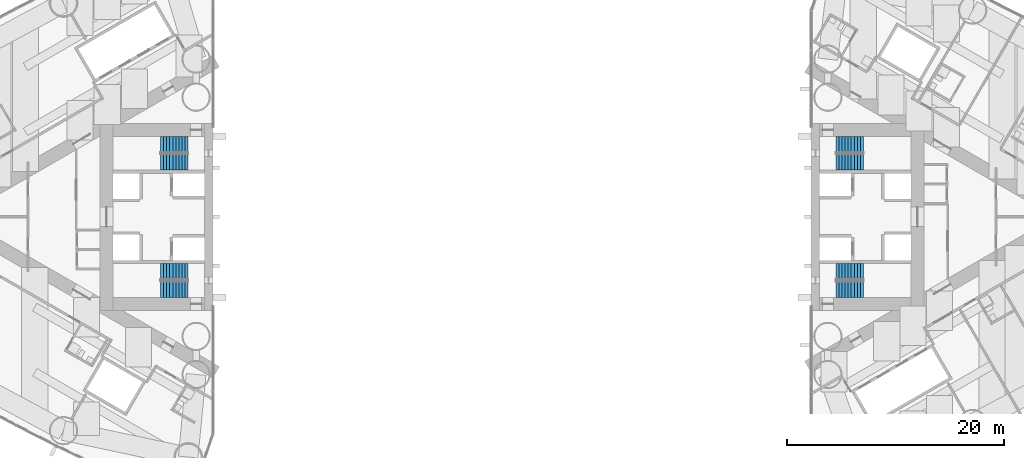
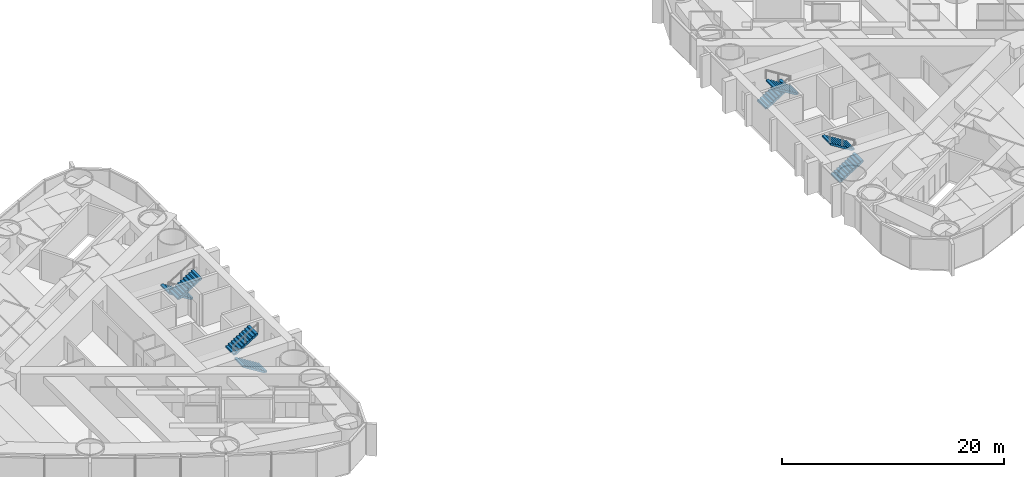
# One storey, part 16 of 18: 8 stair flights, 4 elements without a shape of their own.
"""IFC4 building model written with IfcOpenShell, lengths in metres."""

from ifc_helpers import new_model, si_unit, direction, frame, origin, place, context, subcontext, project, spatial, polyline, outline, extrude, material, type_object, element, aggregate, save


model = new_model("IFC4")

# Units and contexts
model_context = context("Model", 3, precision=1e-05, world=origin(), true_north=direction((0.0, 1.0)))
body_context = subcontext(model_context, "Body", "Model", "MODEL_VIEW")
ifc_project = project(units=[si_unit("LENGTHUNIT", "METRE"), si_unit("AREAUNIT", "SQUARE_METRE"), si_unit("VOLUMEUNIT", "CUBIC_METRE"), si_unit("PLANEANGLEUNIT", "RADIAN"), si_unit("MASSUNIT", "GRAM", prefix="KILO")], contexts=[model_context])

# Site, building, storey
site_placement = place(None, origin())
site = spatial("IfcSite", under=ifc_project, at=site_placement, CompositionType="ELEMENT")
building_placement = place(site_placement, origin())
building = spatial("IfcBuilding", under=site, at=building_placement, Name="Lancet Gate Hotel", CompositionType="ELEMENT")
storey_placement = place(building_placement, frame((0.0, 0.0, 115.10009765625)))
storey = spatial("IfcBuildingStorey", under=building, at=storey_placement, Name="L30", CompositionType="ELEMENT", Elevation=115.10009765625)

# Stair, stair flights
ifc_material_1 = material(Name="Exit stair 20 risers 1500")
stair_type = type_object("IfcStairType", Name="Exit stair 20 risers 1500", PredefinedType="HALF_TURN_STAIR", material=ifc_material_1)
stair_1_placement = place(storey_placement, origin())
stair_1 = element("IfcStair", 1, at=stair_1_placement, inside=storey, type_object=stair_type, Name="T1 stair 1 L30", PredefinedType="HALF_TURN_STAIR")
ifc_material_2 = material(Name="Stair flight 10 risers 175 rise 1500")
stair_flight_type = type_object("IfcStairFlightType", Name="Stair flight 10 risers 175 rise 1500", PredefinedType="STRAIGHT", material=ifc_material_2)
stair_flight_1_placement = place(storey_placement, frame((-29.800048828125, 6.64990234375, 0.0), z_axis=(0.0, 0.0, 1.0), x_axis=(-1.0, 0.0, 0.0)))
stair_flight_1 = element("IfcStairFlight", 2, at=stair_flight_1_placement, type_object=stair_flight_type, Name="ST1 flight 1", NumberOfRisers=10, NumberOfTreads=9, PredefinedType="STRAIGHT", RiserHeight=0.175, TreadLength=0.28, context=body_context, shape_type="SweptSolid", body=[
    extrude(outline(polyline([(0.0, 0.0), (0.0, 0.175048828125), (0.280029296875, 0.175048828125), (0.280029296875, 0.35009765625), (0.56005859375, 0.35009765625), (0.56005859375, 0.52490234375), (0.840087890625, 0.52490234375), (0.840087890625, 0.699951171875), (1.1201171875, 0.699951171875), (1.1201171875, 0.875), (1.39990234375, 0.875), (1.39990234375, 1.050048828125), (1.679931640625, 1.050048828125), (1.679931640625, 1.22509765625), (1.9599609375, 1.22509765625), (1.9599609375, 1.39990234375), (2.239990234375, 1.39990234375), (2.239990234375, 1.574951171875), (2.52001953125, 1.574951171875), (2.52001953125, 1.75), (2.52001953125, 1.398193359375), (0.28271484375, 0.0), (0.0, 0.0)])), frame((0.0, 0.75, 0.0), z_axis=(0.0, -1.0, 0.0), x_axis=(1.0, 0.0, 0.0)), (0.0, 0.0, 1.0), 1.5),
])
stair_flight_2_placement = place(storey_placement, frame((-32.320068359375, 5.050048828125, 1.75), z_axis=(0.0, 0.0, 1.0), x_axis=(1.0, 0.0, 0.0)))
stair_flight_2 = element("IfcStairFlight", 3, at=stair_flight_2_placement, type_object=stair_flight_type, Name="ST1 flight 2", NumberOfRisers=10, NumberOfTreads=9, PredefinedType="STRAIGHT", RiserHeight=0.175, TreadLength=0.28, context=body_context, shape_type="SweptSolid", body=[
    extrude(outline(polyline([(0.0, 0.0), (0.0, 0.175048828125), (0.280029296875, 0.175048828125), (0.280029296875, 0.35009765625), (0.56005859375, 0.35009765625), (0.56005859375, 0.52490234375), (0.840087890625, 0.52490234375), (0.840087890625, 0.699951171875), (1.1201171875, 0.699951171875), (1.1201171875, 0.875), (1.39990234375, 0.875), (1.39990234375, 1.050048828125), (1.679931640625, 1.050048828125), (1.679931640625, 1.22509765625), (1.9599609375, 1.22509765625), (1.9599609375, 1.39990234375), (2.239990234375, 1.39990234375), (2.239990234375, 1.574951171875), (2.52001953125, 1.574951171875), (2.52001953125, 1.75), (2.52001953125, 1.398193359375), (0.28271484375, 0.0), (0.0, 0.0)])), frame((0.0, 0.75, 0.0), z_axis=(0.0, -1.0, 0.0), x_axis=(1.0, 0.0, 0.0)), (0.0, 0.0, 1.0), 1.5),
])
aggregate(stair_1, [stair_flight_1, stair_flight_2])

stair_2_placement = place(storey_placement, origin())
stair_2 = element("IfcStair", 4, at=stair_2_placement, inside=storey, type_object=stair_type, Name="T1 stair 2 L30", PredefinedType="HALF_TURN_STAIR")
stair_flight_3_placement = place(storey_placement, frame((-29.800048828125, -6.64990234375, 0.0), z_axis=(0.0, 0.0, 1.0), x_axis=(-1.0, 0.0, 0.0)))
stair_flight_3 = element("IfcStairFlight", 5, at=stair_flight_3_placement, type_object=stair_flight_type, Name="ST2 flight 1", NumberOfRisers=10, NumberOfTreads=9, PredefinedType="STRAIGHT", RiserHeight=0.175, TreadLength=0.28, context=body_context, shape_type="SweptSolid", body=[
    extrude(outline(polyline([(0.0, 0.0), (0.0, 0.175048828125), (0.280029296875, 0.175048828125), (0.280029296875, 0.35009765625), (0.56005859375, 0.35009765625), (0.56005859375, 0.52490234375), (0.840087890625, 0.52490234375), (0.840087890625, 0.699951171875), (1.1201171875, 0.699951171875), (1.1201171875, 0.875), (1.39990234375, 0.875), (1.39990234375, 1.050048828125), (1.679931640625, 1.050048828125), (1.679931640625, 1.22509765625), (1.9599609375, 1.22509765625), (1.9599609375, 1.39990234375), (2.239990234375, 1.39990234375), (2.239990234375, 1.574951171875), (2.52001953125, 1.574951171875), (2.52001953125, 1.75), (2.52001953125, 1.398193359375), (0.28271484375, 0.0), (0.0, 0.0)])), frame((0.0, 0.75, 0.0), z_axis=(0.0, -1.0, 0.0), x_axis=(1.0, 0.0, 0.0)), (0.0, 0.0, 1.0), 1.5),
])
stair_flight_4_placement = place(storey_placement, frame((-32.320068359375, -5.050048828125, 1.75), z_axis=(0.0, 0.0, 1.0), x_axis=(1.0, 0.0, 0.0)))
stair_flight_4 = element("IfcStairFlight", 6, at=stair_flight_4_placement, type_object=stair_flight_type, Name="ST2 flight 2", NumberOfRisers=10, NumberOfTreads=9, PredefinedType="STRAIGHT", RiserHeight=0.175, TreadLength=0.28, context=body_context, shape_type="SweptSolid", body=[
    extrude(outline(polyline([(0.0, 0.0), (0.0, 0.175048828125), (0.280029296875, 0.175048828125), (0.280029296875, 0.35009765625), (0.56005859375, 0.35009765625), (0.56005859375, 0.52490234375), (0.840087890625, 0.52490234375), (0.840087890625, 0.699951171875), (1.1201171875, 0.699951171875), (1.1201171875, 0.875), (1.39990234375, 0.875), (1.39990234375, 1.050048828125), (1.679931640625, 1.050048828125), (1.679931640625, 1.22509765625), (1.9599609375, 1.22509765625), (1.9599609375, 1.39990234375), (2.239990234375, 1.39990234375), (2.239990234375, 1.574951171875), (2.52001953125, 1.574951171875), (2.52001953125, 1.75), (2.52001953125, 1.398193359375), (0.28271484375, 0.0), (0.0, 0.0)])), frame((0.0, 0.75, 0.0), z_axis=(0.0, -1.0, 0.0), x_axis=(1.0, 0.0, 0.0)), (0.0, 0.0, 1.0), 1.5),
])
aggregate(stair_2, [stair_flight_3, stair_flight_4])

stair_3_placement = place(storey_placement, origin())
stair_3 = element("IfcStair", 7, at=stair_3_placement, inside=storey, type_object=stair_type, Name="T2 stair 1 L30", PredefinedType="HALF_TURN_STAIR")
stair_flight_5_placement = place(storey_placement, frame((29.800048828125, -6.64990234375, 0.0), z_axis=(0.0, 0.0, 1.0), x_axis=(1.0, 0.0, 0.0)))
stair_flight_5 = element("IfcStairFlight", 8, at=stair_flight_5_placement, type_object=stair_flight_type, Name="ST3 flight 1", NumberOfRisers=10, NumberOfTreads=9, PredefinedType="STRAIGHT", RiserHeight=0.175, TreadLength=0.28, context=body_context, shape_type="SweptSolid", body=[
    extrude(outline(polyline([(0.0, 0.0), (0.0, 0.175048828125), (0.280029296875, 0.175048828125), (0.280029296875, 0.35009765625), (0.56005859375, 0.35009765625), (0.56005859375, 0.52490234375), (0.840087890625, 0.52490234375), (0.840087890625, 0.699951171875), (1.1201171875, 0.699951171875), (1.1201171875, 0.875), (1.39990234375, 0.875), (1.39990234375, 1.050048828125), (1.679931640625, 1.050048828125), (1.679931640625, 1.22509765625), (1.9599609375, 1.22509765625), (1.9599609375, 1.39990234375), (2.239990234375, 1.39990234375), (2.239990234375, 1.574951171875), (2.52001953125, 1.574951171875), (2.52001953125, 1.75), (2.52001953125, 1.398193359375), (0.28271484375, 0.0), (0.0, 0.0)])), frame((0.0, 0.75, 0.0), z_axis=(0.0, -1.0, 0.0), x_axis=(1.0, 0.0, 0.0)), (0.0, 0.0, 1.0), 1.5),
])
stair_flight_6_placement = place(storey_placement, frame((32.320068359375, -5.050048828125, 1.75), z_axis=(0.0, 0.0, 1.0), x_axis=(-1.0, 0.0, 0.0)))
stair_flight_6 = element("IfcStairFlight", 9, at=stair_flight_6_placement, type_object=stair_flight_type, Name="ST3 flight 2", NumberOfRisers=10, NumberOfTreads=9, PredefinedType="STRAIGHT", RiserHeight=0.175, TreadLength=0.28, context=body_context, shape_type="SweptSolid", body=[
    extrude(outline(polyline([(0.0, 0.0), (0.0, 0.175048828125), (0.280029296875, 0.175048828125), (0.280029296875, 0.35009765625), (0.56005859375, 0.35009765625), (0.56005859375, 0.52490234375), (0.840087890625, 0.52490234375), (0.840087890625, 0.699951171875), (1.1201171875, 0.699951171875), (1.1201171875, 0.875), (1.39990234375, 0.875), (1.39990234375, 1.050048828125), (1.679931640625, 1.050048828125), (1.679931640625, 1.22509765625), (1.9599609375, 1.22509765625), (1.9599609375, 1.39990234375), (2.239990234375, 1.39990234375), (2.239990234375, 1.574951171875), (2.52001953125, 1.574951171875), (2.52001953125, 1.75), (2.52001953125, 1.398193359375), (0.28271484375, 0.0), (0.0, 0.0)])), frame((0.0, 0.75, 0.0), z_axis=(0.0, -1.0, 0.0), x_axis=(1.0, 0.0, 0.0)), (0.0, 0.0, 1.0), 1.5),
])
aggregate(stair_3, [stair_flight_5, stair_flight_6])

stair_4_placement = place(storey_placement, origin())
stair_4 = element("IfcStair", 10, at=stair_4_placement, inside=storey, type_object=stair_type, Name="T2 stair 2 L30", PredefinedType="HALF_TURN_STAIR")
stair_flight_7_placement = place(storey_placement, frame((29.800048828125, 6.64990234375, 0.0), z_axis=(0.0, 0.0, 1.0), x_axis=(1.0, 0.0, 0.0)))
stair_flight_7 = element("IfcStairFlight", 11, at=stair_flight_7_placement, type_object=stair_flight_type, Name="ST4 flight 1", NumberOfRisers=10, NumberOfTreads=9, PredefinedType="STRAIGHT", RiserHeight=0.175, TreadLength=0.28, context=body_context, shape_type="SweptSolid", body=[
    extrude(outline(polyline([(0.0, 0.0), (0.0, 0.175048828125), (0.280029296875, 0.175048828125), (0.280029296875, 0.35009765625), (0.56005859375, 0.35009765625), (0.56005859375, 0.52490234375), (0.840087890625, 0.52490234375), (0.840087890625, 0.699951171875), (1.1201171875, 0.699951171875), (1.1201171875, 0.875), (1.39990234375, 0.875), (1.39990234375, 1.050048828125), (1.679931640625, 1.050048828125), (1.679931640625, 1.22509765625), (1.9599609375, 1.22509765625), (1.9599609375, 1.39990234375), (2.239990234375, 1.39990234375), (2.239990234375, 1.574951171875), (2.52001953125, 1.574951171875), (2.52001953125, 1.75), (2.52001953125, 1.398193359375), (0.28271484375, 0.0), (0.0, 0.0)])), frame((0.0, 0.75, 0.0), z_axis=(0.0, -1.0, 0.0), x_axis=(1.0, 0.0, 0.0)), (0.0, 0.0, 1.0), 1.5),
])
stair_flight_8_placement = place(storey_placement, frame((32.320068359375, 5.050048828125, 1.75), z_axis=(0.0, 0.0, 1.0), x_axis=(-1.0, 0.0, 0.0)))
stair_flight_8 = element("IfcStairFlight", 12, at=stair_flight_8_placement, type_object=stair_flight_type, Name="ST4 flight 2", NumberOfRisers=10, NumberOfTreads=9, PredefinedType="STRAIGHT", RiserHeight=0.175, TreadLength=0.28, context=body_context, shape_type="SweptSolid", body=[
    extrude(outline(polyline([(0.0, 0.0), (0.0, 0.175048828125), (0.280029296875, 0.175048828125), (0.280029296875, 0.35009765625), (0.56005859375, 0.35009765625), (0.56005859375, 0.52490234375), (0.840087890625, 0.52490234375), (0.840087890625, 0.699951171875), (1.1201171875, 0.699951171875), (1.1201171875, 0.875), (1.39990234375, 0.875), (1.39990234375, 1.050048828125), (1.679931640625, 1.050048828125), (1.679931640625, 1.22509765625), (1.9599609375, 1.22509765625), (1.9599609375, 1.39990234375), (2.239990234375, 1.39990234375), (2.239990234375, 1.574951171875), (2.52001953125, 1.574951171875), (2.52001953125, 1.75), (2.52001953125, 1.398193359375), (0.28271484375, 0.0), (0.0, 0.0)])), frame((0.0, 0.75, 0.0), z_axis=(0.0, -1.0, 0.0), x_axis=(1.0, 0.0, 0.0)), (0.0, 0.0, 1.0), 1.5),
])
aggregate(stair_4, [stair_flight_7, stair_flight_8])

save(model, "model.ifc")
